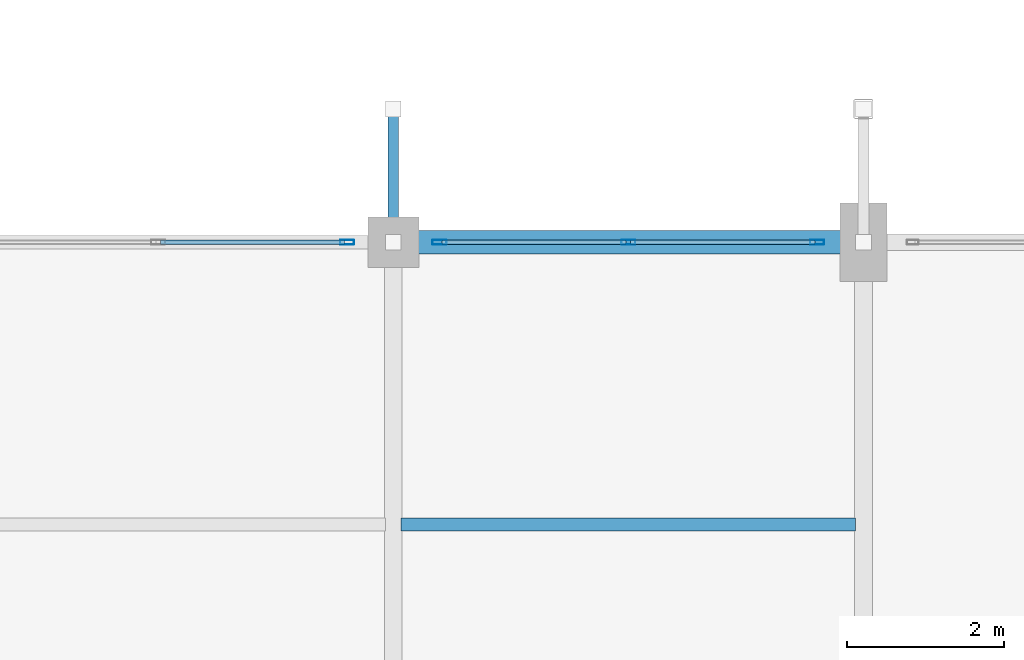
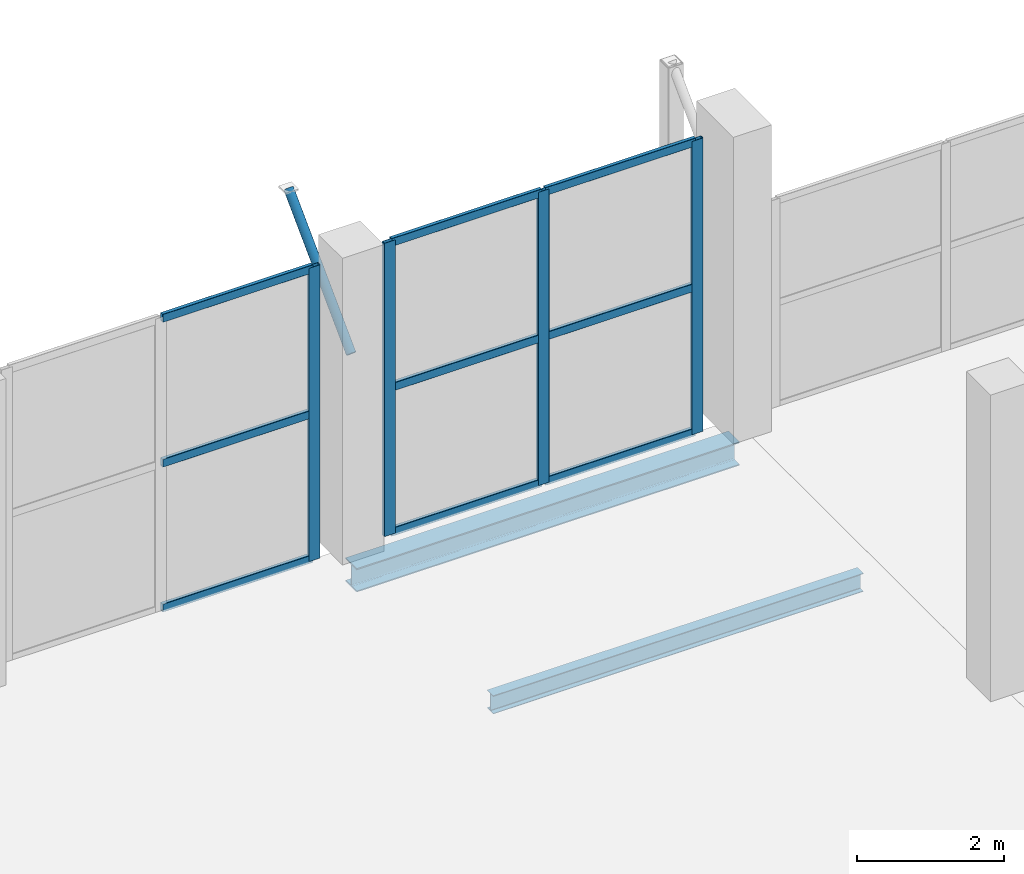
# One storey, part 60 of 127: 14 members, 2 beams, 2 elements without a shape of their own.
"""IFC4 building model written with IfcOpenShell, lengths in metres."""

import ifcopenshell
import ifcopenshell.guid

model = None  # the IFC model being written
_history = None  # IfcOwnerHistory: only IFC2X3 demands one
_inside = {}  # id of a spatial element -> (the spatial element, [elements in it])
_under = {}  # id of a project, library or spatial element -> (it, [spatial elements below it])
_declared = {}  # id of a project -> (the project, [libraries it declares])
_typed = {}  # id of a type object -> (the type object, [elements of that type])
_made_of = {}  # id of a material, layer set ... -> (it, [elements and type objects made of it])


def new_model(schema):
    """Start an empty IFC model of exactly this schema.

    Asked for "IFC4X3", IfcOpenShell would pick the latest addendum, in which some entities
    have other attributes; the version numbers below select the first issue.
    IFC2X3 requires an IfcOwnerHistory on every rooted entity: one is made here for all.
    """
    global model, _history
    if schema == "IFC4X3":
        model = ifcopenshell.file(schema_version=(4, 3, 0, 0))
    else:
        model = ifcopenshell.file(schema=schema)
    _inside.clear()
    _under.clear()
    _declared.clear()
    _typed.clear()
    _made_of.clear()
    _history = None
    if model.schema == "IFC2X3":
        org = make("IfcOrganization", Name="unknown")
        user = make(
            "IfcPersonAndOrganization",
            ThePerson=make("IfcPerson", FamilyName="unknown"),
            TheOrganization=org,
        )
        app = make(
            "IfcApplication",
            ApplicationDeveloper=org,
            Version="unknown",
            ApplicationFullName="unknown",
            ApplicationIdentifier="unknown",
        )
        _history = make(
            "IfcOwnerHistory",
            OwningUser=user,
            OwningApplication=app,
            ChangeAction="ADDED",
            CreationDate=0,
        )
    return model


def make(cls, **values):
    """One entity of the class cls with the attributes given. An attribute that is None is left unset."""
    return model.create_entity(
        cls, **{name: value for name, value in values.items() if value is not None}
    )


def rooted(cls, **values):
    """An entity with a GlobalId (a new one), such as an element, a storey or a relation."""
    return make(cls, GlobalId=ifcopenshell.guid.new(), OwnerHistory=_history, **values)


def si_unit(unit_type, name, prefix=None):
    """IfcSIUnit, for example si_unit("LENGTHUNIT", "METRE", prefix="MILLI")."""
    return make("IfcSIUnit", UnitType=unit_type, Prefix=prefix, Name=name)


def assignment(units):
    """IfcUnitAssignment: the units of a project."""
    return None if units is None else make("IfcUnitAssignment", Units=units)


def point(xyz):
    """IfcCartesianPoint."""
    return None if xyz is None else make("IfcCartesianPoint", Coordinates=xyz)


def direction(xyz):
    """IfcDirection."""
    return None if xyz is None else make("IfcDirection", DirectionRatios=xyz)


def frame(location, z_axis=None, x_axis=None):
    """IfcAxis2Placement3D, a coordinate frame: its origin and axes. An axis left out is left unset."""
    return make(
        "IfcAxis2Placement3D",
        Location=point(location),
        Axis=direction(z_axis),
        RefDirection=direction(x_axis),
    )


def frame_2d(location, x_axis=None):
    """IfcAxis2Placement2D, a coordinate frame in the plane: its origin and x axis."""
    return make(
        "IfcAxis2Placement2D", Location=point(location), RefDirection=direction(x_axis)
    )


def origin():
    """The frame at (0, 0, 0) with its axes left unset."""
    return frame((0.0, 0.0, 0.0))


def origin_2d():
    """The frame at (0, 0) in the plane with its x axis left unset."""
    return frame_2d((0.0, 0.0))


def place(relative_to, where):
    """IfcLocalPlacement: puts the frame where relative to a parent placement (None: the world)."""
    return make(
        "IfcLocalPlacement", PlacementRelTo=relative_to, RelativePlacement=where
    )


def context(
    kind, dimensions, precision=None, world=None, true_north=None, identifier=None
):
    """IfcGeometricRepresentationContext, for example the 3D "Model" context."""
    return make(
        "IfcGeometricRepresentationContext",
        ContextIdentifier=identifier,
        ContextType=kind,
        CoordinateSpaceDimension=dimensions,
        Precision=precision,
        WorldCoordinateSystem=world,
        TrueNorth=true_north,
    )


def subcontext(parent, identifier, kind, view, scale=None):
    """IfcGeometricRepresentationSubContext, for example "Body" below "Model"."""
    return make(
        "IfcGeometricRepresentationSubContext",
        ContextIdentifier=identifier,
        ContextType=kind,
        ParentContext=parent,
        TargetScale=scale,
        TargetView=view,
    )


def project(units=None, contexts=None):
    """IfcProject with its units and contexts."""
    return rooted(
        "IfcProject",
        Name="project",
        RepresentationContexts=contexts,
        UnitsInContext=assignment(units),
    )


def spatial(cls, under=None, at=None, **own):
    """A site, building, storey or space (cls), placed at a placement, below another one or the project."""
    s = rooted(cls, ObjectPlacement=at, **own)
    if under is not None:
        _under.setdefault(under.id(), (under, []))[1].append(s)
    return s


def profile(cls, at=None, kind="AREA", **sizes):
    """A parametric profile (cls). Its sizes go by their IFC names, for example OverallWidth=200.0."""
    return make(cls, ProfileType=kind, Position=at, **sizes)


def hollow_rectangle(**sizes):
    """IfcRectangleHollowProfileDef."""
    return profile("IfcRectangleHollowProfileDef", **sizes)


def hollow_circle(**sizes):
    """IfcCircleHollowProfileDef."""
    return profile("IfcCircleHollowProfileDef", **sizes)


def i_section(**sizes):
    """IfcIShapeProfileDef."""
    return profile("IfcIShapeProfileDef", **sizes)


def extrude(swept, where, along, depth):
    """IfcExtrudedAreaSolid: the profile swept, set in the frame where, extruded along a direction by depth."""
    return make(
        "IfcExtrudedAreaSolid",
        SweptArea=swept,
        Position=where,
        ExtrudedDirection=direction(along),
        Depth=depth,
    )


def shape(context_of_items, identifier, shape_type, items):
    """IfcShapeRepresentation: the items that make up one representation, for example the "Body"."""
    return make(
        "IfcShapeRepresentation",
        ContextOfItems=context_of_items,
        RepresentationIdentifier=identifier,
        RepresentationType=shape_type,
        Items=items,
    )


def material(Name=None, Category=None):
    """IfcMaterial."""
    return make("IfcMaterial", Name=Name, Category=Category)


def layer(
    of_material, thickness, ventilated=None, Name=None, Category=None, Priority=None
):
    """IfcMaterialLayer: one layer of a wall or slab, of a material (None: an air gap)."""
    return make(
        "IfcMaterialLayer",
        Material=of_material,
        LayerThickness=thickness,
        IsVentilated=ventilated,
        Name=Name,
        Category=Category,
        Priority=Priority,
    )


def layer_set(layers, Name=None):
    """IfcMaterialLayerSet."""
    return make("IfcMaterialLayerSet", MaterialLayers=layers, LayerSetName=Name)


def material_profile(
    of_material, cross_section, Name=None, Category=None, Priority=None
):
    """IfcMaterialProfile: a cross section and its material."""
    return make(
        "IfcMaterialProfile",
        Name=Name,
        Material=of_material,
        Profile=cross_section,
        Priority=Priority,
        Category=Category,
    )


def profile_set(profiles, Name=None, composite=None):
    """IfcMaterialProfileSet."""
    return make(
        "IfcMaterialProfileSet",
        Name=Name,
        MaterialProfiles=profiles,
        CompositeProfile=composite,
    )


def made_of(thing, what):
    """Note that an element or type object is made of a material, layer set ...; save() writes the relation."""
    if what is not None:
        _made_of.setdefault(what.id(), (what, []))[1].append(thing)
    return thing


def type_object(cls, material=None, **own):
    """A type object (cls), such as IfcWallType, which elements share."""
    return made_of(rooted(cls, **own), material)


def element(
    cls,
    number,
    at=None,
    inside=None,
    cuts=None,
    type_object=None,
    material=None,
    context=None,
    identifier="Body",
    shape_type=None,
    held_by="IfcProductDefinitionShape",
    body=None,
    shapes=None,
    **own,
):
    """One element of the class cls, such as IfcWall. Its Tag is "e" and its number.

    at: its placement. inside: the storey or other place that contains it. cuts: it is an
    opening in that element (IfcRelVoidsElement). A single representation is given by context,
    identifier, shape_type and body (its items); several are given by shapes. held_by: the class
    of the entity that holds the representations. save() writes the other relations.
    """
    e = rooted(cls, Tag="e%d" % number, ObjectPlacement=at, **own)
    if body is not None:
        shapes = [shape(context, identifier, shape_type, body)]
    if shapes is not None:
        e.Representation = make(held_by, Representations=shapes)
    if inside is not None:
        _inside.setdefault(inside.id(), (inside, []))[1].append(e)
    if cuts is not None:
        rooted(
            "IfcRelVoidsElement", RelatingBuildingElement=cuts, RelatedOpeningElement=e
        )
    if type_object is not None:
        _typed.setdefault(type_object.id(), (type_object, []))[1].append(e)
    return made_of(e, material)


def aggregate(whole, parts):
    """IfcRelAggregates: a whole, such as a stair, and the parts it consists of."""
    return rooted("IfcRelAggregates", RelatingObject=whole, RelatedObjects=parts)


def save(model, path):
    """Write the relations noted so far, then the file.

    IfcRelAggregates (storeys below a building ...), IfcRelContainedInSpatialStructure (elements
    in a storey), IfcRelDefinesByType, IfcRelAssociatesMaterial and IfcRelDeclares: one each for
    every whole, place, type object, material and project.
    """
    for whole, parts in _under.values():
        aggregate(whole, parts)
    for where, things in _inside.values():
        rooted(
            "IfcRelContainedInSpatialStructure",
            RelatedElements=things,
            RelatingStructure=where,
        )
    for kind, things in _typed.values():
        rooted("IfcRelDefinesByType", RelatedObjects=things, RelatingType=kind)
    for what, things in _made_of.values():
        rooted("IfcRelAssociatesMaterial", RelatedObjects=things, RelatingMaterial=what)
    for by, libraries in _declared.values():
        rooted("IfcRelDeclares", RelatingContext=by, RelatedDefinitions=libraries)
    model.write(path)


model = new_model("IFC4")

# Units and contexts
model_context = context("Model", 3, precision=1e-05, world=origin(), true_north=direction((0.0, 1.0)))
body_context = subcontext(model_context, "Body", "Model", "MODEL_VIEW")
ifc_project = project(units=[si_unit("LENGTHUNIT", "METRE"), si_unit("AREAUNIT", "SQUARE_METRE"), si_unit("VOLUMEUNIT", "CUBIC_METRE"), si_unit("PLANEANGLEUNIT", "RADIAN"), si_unit("MASSUNIT", "GRAM", prefix="KILO")], contexts=[model_context])

# Site, building, storey
site_placement = place(None, origin())
site = spatial("IfcSite", under=ifc_project, at=site_placement, CompositionType="ELEMENT")
building_placement = place(site_placement, origin())
building = spatial("IfcBuilding", under=site, at=building_placement, Name="Dunvalen Ferry Terminal", CompositionType="ELEMENT")
storey_placement = place(building_placement, frame((0.0, 0.0, 5.760009765625)))
storey = spatial("IfcBuildingStorey", under=building, at=storey_placement, Name="L01", CompositionType="ELEMENT", Elevation=5.760009765625)

# Curtain wall, member
ifc_material_1 = material(Name="Anodised marine aluminium and solar-control glazing", Category="aluminium")
ifc_layer = layer(ifc_material_1, 0.219970703125, Name="Anodised marine aluminium and solar-control glazing")
ifc_layer_set = layer_set([ifc_layer], Name="Anodised marine aluminium and solar-control glazing")
curtain_wall_type = type_object("IfcCurtainWallType", Name="ENV-CW-SYS-02", PredefinedType="NOTDEFINED", material=ifc_layer_set)
curtain_wall_1_placement = place(storey_placement, origin())
curtain_wall_1 = element("IfcCurtainWall", 1, at=curtain_wall_1_placement, inside=storey, type_object=curtain_wall_type, Name="L01 Curtain Wall CW-V1N-L01-13", PredefinedType="NOTDEFINED")
ifc_material_2 = material(Name="Anodised marine aluminium EN AW-6063 T6", Category="aluminium")
ifc_material_profile_1 = material_profile(ifc_material_2, hollow_rectangle(XDim=0.06005859375, YDim=0.179931640625, WallThickness=0.00341796875, InnerFilletRadius=0.00341796875, OuterFilletRadius=0.007080078125, at=origin_2d()), Name="Anodised marine aluminium EN AW-6063 T6")
ifc_profile_set_1 = profile_set([ifc_material_profile_1], Name="Anodised marine aluminium EN AW-6063 T6")
member_type_1 = type_object("IfcMemberType", Name="ENV-CW-MUL-2", PredefinedType="MULLION", material=ifc_profile_set_1)
member_1_placement = place(storey_placement, frame((89.409912109375, 86.39990234375, 0.0), z_axis=(0.0, 0.0, 1.0), x_axis=(0.0, 1.0, 0.0)))
member_1 = element("IfcMember", 2, at=member_1_placement, type_object=member_type_1, Name="CW-02 mullion 3", PredefinedType="MULLION", context=body_context, shape_type="SweptSolid", body=[
    extrude(hollow_rectangle(XDim=0.06005859375, YDim=0.179931640625, WallThickness=0.00341796875, InnerFilletRadius=0.00341796875, OuterFilletRadius=0.007080078125, at=origin_2d()), origin(), (0.0, 0.0, 1.0), 4.860107421875),
])

# Curtain wall, members
curtain_wall_2_placement = place(storey_placement, origin())
curtain_wall_2 = element("IfcCurtainWall", 3, at=curtain_wall_2_placement, inside=storey, type_object=curtain_wall_type, Name="L01 Curtain Wall CW-V1N-L01-14", PredefinedType="NOTDEFINED")
member_2_placement = place(storey_placement, frame((90.590087890625, 86.39990234375, 0.0), z_axis=(0.0, 0.0, 1.0), x_axis=(0.0, 1.0, 0.0)))
member_2 = element("IfcMember", 4, at=member_2_placement, type_object=member_type_1, Name="CW-02 mullion 1", PredefinedType="MULLION", context=body_context, shape_type="SweptSolid", body=[
    extrude(hollow_rectangle(XDim=0.06005859375, YDim=0.179931640625, WallThickness=0.00341796875, InnerFilletRadius=0.00341796875, OuterFilletRadius=0.007080078125, at=origin_2d()), origin(), (0.0, 0.0, 1.0), 4.860107421875),
])
member_3_placement = place(storey_placement, frame((93.0, 86.39990234375, 0.0), z_axis=(0.0, 0.0, 1.0), x_axis=(0.0, 1.0, 0.0)))
member_3 = element("IfcMember", 5, at=member_3_placement, type_object=member_type_1, Name="CW-02 mullion 2", PredefinedType="MULLION", context=body_context, shape_type="SweptSolid", body=[
    extrude(hollow_rectangle(XDim=0.06005859375, YDim=0.179931640625, WallThickness=0.00341796875, InnerFilletRadius=0.00341796875, OuterFilletRadius=0.007080078125, at=origin_2d()), origin(), (0.0, 0.0, 1.0), 4.860107421875),
])
member_4_placement = place(storey_placement, frame((95.409912109375, 86.39990234375, 0.0), z_axis=(0.0, 0.0, 1.0), x_axis=(0.0, 1.0, 0.0)))
member_4 = element("IfcMember", 6, at=member_4_placement, type_object=member_type_1, Name="CW-02 mullion 3", PredefinedType="MULLION", context=body_context, shape_type="SweptSolid", body=[
    extrude(hollow_rectangle(XDim=0.06005859375, YDim=0.179931640625, WallThickness=0.00341796875, InnerFilletRadius=0.00341796875, OuterFilletRadius=0.007080078125, at=origin_2d()), origin(), (0.0, 0.0, 1.0), 4.860107421875),
])

# Member
ifc_material_profile_2 = material_profile(ifc_material_2, hollow_rectangle(XDim=0.06005859375, YDim=0.135009765625, WallThickness=0.003173828125, InnerFilletRadius=0.003173828125, OuterFilletRadius=0.00634765625, at=origin_2d()), Name="Anodised marine aluminium EN AW-6063 T6")
ifc_profile_set_2 = profile_set([ifc_material_profile_2], Name="Anodised marine aluminium EN AW-6063 T6")
member_type_2 = type_object("IfcMemberType", Name="ENV-CW-TRN-2", PredefinedType="USERDEFINED", material=ifc_profile_set_2)
member_5_placement = place(storey_placement, frame((87.030029296875, 86.39990234375, 0.030029296875), z_axis=(1.0, 0.0, 0.0), x_axis=(0.0, 1.0, 0.0)))
member_5 = element("IfcMember", 7, at=member_5_placement, type_object=member_type_2, Name="CW-02 transom 2.1", ObjectType="TRANSOM", PredefinedType="USERDEFINED", context=body_context, shape_type="SweptSolid", body=[
    extrude(hollow_rectangle(XDim=0.06005859375, YDim=0.135009765625, WallThickness=0.003173828125, InnerFilletRadius=0.003173828125, OuterFilletRadius=0.00634765625, at=origin_2d()), origin(), (0.0, 0.0, 1.0), 2.349853515625),
])

member_6_placement = place(storey_placement, frame((87.030029296875, 86.39990234375, 2.429931640625), z_axis=(1.0, 0.0, 0.0), x_axis=(0.0, 1.0, 0.0)))
member_6 = element("IfcMember", 8, at=member_6_placement, type_object=member_type_2, Name="CW-02 transom 2.2", ObjectType="TRANSOM", PredefinedType="USERDEFINED", context=body_context, shape_type="SweptSolid", body=[
    extrude(hollow_rectangle(XDim=0.06005859375, YDim=0.135009765625, WallThickness=0.003173828125, InnerFilletRadius=0.003173828125, OuterFilletRadius=0.00634765625, at=origin_2d()), origin(), (0.0, 0.0, 1.0), 2.349853515625),
])

member_7_placement = place(storey_placement, frame((87.030029296875, 86.39990234375, 4.830078125), z_axis=(1.0, 0.0, 0.0), x_axis=(0.0, 1.0, 0.0)))
member_7 = element("IfcMember", 9, at=member_7_placement, type_object=member_type_2, Name="CW-02 transom 2.3", ObjectType="TRANSOM", PredefinedType="USERDEFINED", context=body_context, shape_type="SweptSolid", body=[
    extrude(hollow_rectangle(XDim=0.06005859375, YDim=0.135009765625, WallThickness=0.003173828125, InnerFilletRadius=0.003173828125, OuterFilletRadius=0.00634765625, at=origin_2d()), origin(), (0.0, 0.0, 1.0), 2.349853515625),
])

aggregate(curtain_wall_1, [member_1, member_5, member_6, member_7])

member_8_placement = place(storey_placement, frame((90.6201171875, 86.39990234375, 0.030029296875), z_axis=(1.0, 0.0, 0.0), x_axis=(0.0, 1.0, 0.0)))
member_8 = element("IfcMember", 10, at=member_8_placement, type_object=member_type_2, Name="CW-02 transom 1.1", ObjectType="TRANSOM", PredefinedType="USERDEFINED", context=body_context, shape_type="SweptSolid", body=[
    extrude(hollow_rectangle(XDim=0.06005859375, YDim=0.135009765625, WallThickness=0.003173828125, InnerFilletRadius=0.003173828125, OuterFilletRadius=0.00634765625, at=origin_2d()), origin(), (0.0, 0.0, 1.0), 2.349853515625),
])

member_9_placement = place(storey_placement, frame((90.6201171875, 86.39990234375, 2.429931640625), z_axis=(1.0, 0.0, 0.0), x_axis=(0.0, 1.0, 0.0)))
member_9 = element("IfcMember", 11, at=member_9_placement, type_object=member_type_2, Name="CW-02 transom 1.2", ObjectType="TRANSOM", PredefinedType="USERDEFINED", context=body_context, shape_type="SweptSolid", body=[
    extrude(hollow_rectangle(XDim=0.06005859375, YDim=0.135009765625, WallThickness=0.003173828125, InnerFilletRadius=0.003173828125, OuterFilletRadius=0.00634765625, at=origin_2d()), origin(), (0.0, 0.0, 1.0), 2.349853515625),
])

member_10_placement = place(storey_placement, frame((90.6201171875, 86.39990234375, 4.830078125), z_axis=(1.0, 0.0, 0.0), x_axis=(0.0, 1.0, 0.0)))
member_10 = element("IfcMember", 12, at=member_10_placement, type_object=member_type_2, Name="CW-02 transom 1.3", ObjectType="TRANSOM", PredefinedType="USERDEFINED", context=body_context, shape_type="SweptSolid", body=[
    extrude(hollow_rectangle(XDim=0.06005859375, YDim=0.135009765625, WallThickness=0.003173828125, InnerFilletRadius=0.003173828125, OuterFilletRadius=0.00634765625, at=origin_2d()), origin(), (0.0, 0.0, 1.0), 2.349853515625),
])

member_11_placement = place(storey_placement, frame((93.030029296875, 86.39990234375, 0.030029296875), z_axis=(1.0, 0.0, 0.0), x_axis=(0.0, 1.0, 0.0)))
member_11 = element("IfcMember", 13, at=member_11_placement, type_object=member_type_2, Name="CW-02 transom 2.1", ObjectType="TRANSOM", PredefinedType="USERDEFINED", context=body_context, shape_type="SweptSolid", body=[
    extrude(hollow_rectangle(XDim=0.06005859375, YDim=0.135009765625, WallThickness=0.003173828125, InnerFilletRadius=0.003173828125, OuterFilletRadius=0.00634765625, at=origin_2d()), origin(), (0.0, 0.0, 1.0), 2.349853515625),
])

member_12_placement = place(storey_placement, frame((93.030029296875, 86.39990234375, 2.429931640625), z_axis=(1.0, 0.0, 0.0), x_axis=(0.0, 1.0, 0.0)))
member_12 = element("IfcMember", 14, at=member_12_placement, type_object=member_type_2, Name="CW-02 transom 2.2", ObjectType="TRANSOM", PredefinedType="USERDEFINED", context=body_context, shape_type="SweptSolid", body=[
    extrude(hollow_rectangle(XDim=0.06005859375, YDim=0.135009765625, WallThickness=0.003173828125, InnerFilletRadius=0.003173828125, OuterFilletRadius=0.00634765625, at=origin_2d()), origin(), (0.0, 0.0, 1.0), 2.349853515625),
])

member_13_placement = place(storey_placement, frame((93.030029296875, 86.39990234375, 4.830078125), z_axis=(1.0, 0.0, 0.0), x_axis=(0.0, 1.0, 0.0)))
member_13 = element("IfcMember", 15, at=member_13_placement, type_object=member_type_2, Name="CW-02 transom 2.3", ObjectType="TRANSOM", PredefinedType="USERDEFINED", context=body_context, shape_type="SweptSolid", body=[
    extrude(hollow_rectangle(XDim=0.06005859375, YDim=0.135009765625, WallThickness=0.003173828125, InnerFilletRadius=0.003173828125, OuterFilletRadius=0.00634765625, at=origin_2d()), origin(), (0.0, 0.0, 1.0), 2.349853515625),
])

aggregate(curtain_wall_2, [member_2, member_3, member_4, member_8, member_9, member_10, member_11, member_12, member_13])

# Beams
ifc_material_3 = material(Name="Steel S355", Category="steel")
ifc_material_profile_3 = material_profile(ifc_material_3, i_section(OverallWidth=0.300048828125, OverallDepth=0.389892578125, WebThickness=0.010986328125, FlangeThickness=0.01904296875, FilletRadius=0.027099609375, at=origin_2d()), Name="Steel S355")
ifc_profile_set_3 = profile_set([ifc_material_profile_3], Name="Steel S355")
beam_type_1 = type_object("IfcBeamType", Name="STR-BM-HEA400", PredefinedType="BEAM", material=ifc_profile_set_3)
beam_1_placement = place(storey_placement, frame((90.0, 86.39990234375, -0.47509765625), z_axis=(1.0, 0.0, 0.0), x_axis=(0.0, 1.0, 0.0)))
element("IfcBeam", 16, at=beam_1_placement, inside=storey, type_object=beam_type_1, Name="L01 V1M Primary Beam X-075", PredefinedType="BEAM", context=body_context, shape_type="SweptSolid", body=[
    extrude(i_section(OverallWidth=0.300048828125, OverallDepth=0.389892578125, WebThickness=0.010986328125, FlangeThickness=0.01904296875, FilletRadius=0.027099609375, at=origin_2d()), origin(), (0.0, 0.0, 1.0), 6.0),
])
ifc_material_profile_4 = material_profile(ifc_material_3, i_section(OverallWidth=0.1650390625, OverallDepth=0.303466796875, WebThickness=0.006103515625, FlangeThickness=0.01025390625, FilletRadius=0.0087890625, at=origin_2d()), Name="Steel S355")
ifc_profile_set_4 = profile_set([ifc_material_profile_4], Name="Steel S355")
beam_type_2 = type_object("IfcBeamType", Name="STR-BM-UKB305", PredefinedType="JOIST", material=ifc_profile_set_4)
beam_2_placement = place(storey_placement, frame((90.10009765625, 82.800048828125, -0.431640625), z_axis=(1.0, 0.0, 0.0), x_axis=(0.0, 1.0, 0.0)))
element("IfcBeam", 17, at=beam_2_placement, inside=storey, type_object=beam_type_2, Name="L01 V1M Secondary Joist 037", PredefinedType="JOIST", context=body_context, shape_type="SweptSolid", body=[
    extrude(i_section(OverallWidth=0.1650390625, OverallDepth=0.303466796875, WebThickness=0.006103515625, FlangeThickness=0.01025390625, FilletRadius=0.0087890625, at=origin_2d()), origin(), (0.0, 0.0, 1.0), 5.7998046875),
])

# Member
ifc_material_profile_5 = material_profile(ifc_material_3, hollow_circle(Radius=0.06982421875, WallThickness=0.00634765625, at=origin_2d()), Name="Steel S355")
ifc_profile_set_5 = profile_set([ifc_material_profile_5], Name="Steel S355")
member_type_3 = type_object("IfcMemberType", Name="STR-MB-CHS139", PredefinedType="BRACE", material=ifc_profile_set_5)
member_14_placement = place(storey_placement, frame((90.0, 86.39990234375, 3.18994140625), z_axis=(0.0, 0.705078956609, 0.709128807021), x_axis=(-1.0, 0.0, 0.0)))
element("IfcMember", 18, at=member_14_placement, inside=storey, type_object=member_type_3, Name="Departure Hall North Eave Knee Strut 14", PredefinedType="BRACE", context=body_context, shape_type="SweptSolid", body=[
    extrude(hollow_circle(Radius=0.06982421875, WallThickness=0.00634765625, at=origin_2d()), origin(), (0.0, 0.0, 1.0), 2.411376953125),
])

save(model, "model.ifc")
